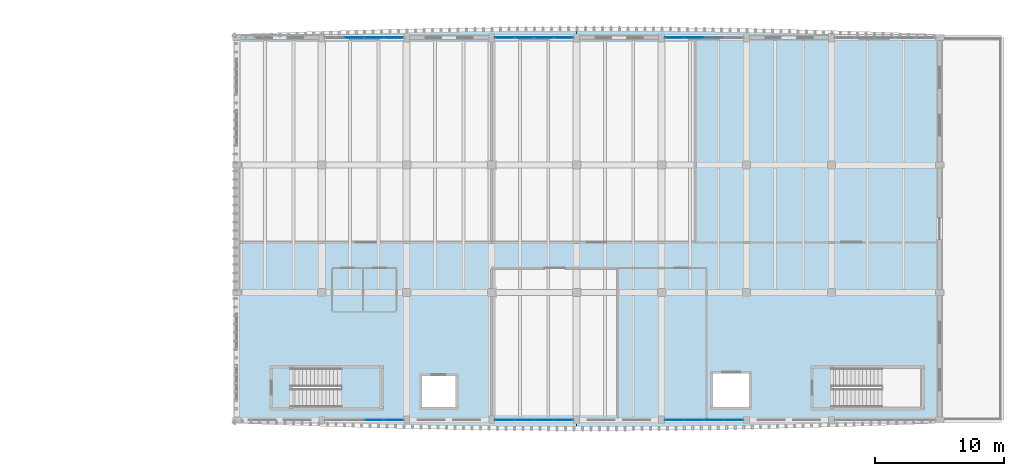
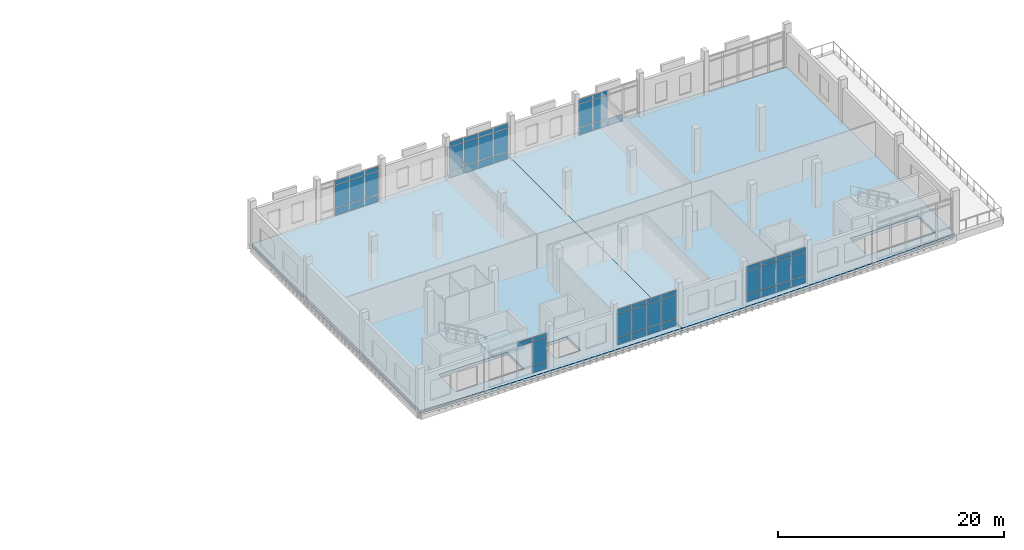
# One storey, part 16 of 39: 56 plates, 3 slabs, 7 elements without a shape of their own.
"""IFC4 building model written with IfcOpenShell, lengths in metres."""

from ifc_helpers import new_model, si_unit, direction, frame, origin, origin_2d, place, context, subcontext, project, spatial, polyline, rectangle, outline, extrude, material, layer, layer_set, type_object, element, aggregate, save


model = new_model("IFC4")

# Units and contexts
model_context = context("Model", 3, precision=1e-05, world=origin(), true_north=direction((0.0, 1.0)))
body_context = subcontext(model_context, "Body", "Model", "MODEL_VIEW")
ifc_project = project(units=[si_unit("LENGTHUNIT", "METRE"), si_unit("AREAUNIT", "SQUARE_METRE"), si_unit("VOLUMEUNIT", "CUBIC_METRE"), si_unit("PLANEANGLEUNIT", "RADIAN"), si_unit("MASSUNIT", "GRAM", prefix="KILO")], contexts=[model_context])

# Site, building, storey
site_placement = place(None, origin())
site = spatial("IfcSite", under=ifc_project, at=site_placement, CompositionType="ELEMENT")
building_placement = place(site_placement, origin())
building = spatial("IfcBuilding", under=site, at=building_placement, Name="Dornvale Research Institute", CompositionType="ELEMENT")
storey_placement = place(building_placement, frame((0.0, 0.0, 24.60009765625)))
storey = spatial("IfcBuildingStorey", under=building, at=storey_placement, Name="L05", CompositionType="ELEMENT", Elevation=24.60009765625)

# Curtain wall, plates
ifc_material_1 = material(Name="Low-E Argon Double Insulating Glazing Unit", Category="glass")
curtain_wall_type = type_object("IfcCurtainWallType", Name="UnitisedCurtainWall_V4_6150x3950", PredefinedType="USERDEFINED", material=ifc_material_1)
curtain_wall_1_placement = place(storey_placement, origin())
curtain_wall_1 = element("IfcCurtainWall", 1, at=curtain_wall_1_placement, inside=storey, type_object=curtain_wall_type, Name="L05 V4 unitised curtain wall CW-15 #109", ObjectType="UNITISED CURTAIN WALL", PredefinedType="USERDEFINED")
ifc_material_2 = material(Name="Insulated Ceramic-Frit Spandrel Glass Panel", Category="glass")
ifc_layer_1 = layer(ifc_material_2, 0.0419921875)
ifc_layer_set_1 = layer_set([ifc_layer_1], Name="Insulated Ceramic-Frit Spandrel Glass Panel")
plate_type_1 = type_object("IfcPlateType", Name="CurtainPanel_Spandrel_42", PredefinedType="CURTAIN_PANEL", material=ifc_layer_set_1)
plate_1_placement = place(storey_placement, frame((127.93115234375, 122.10009765625, 0.06494140625), z_axis=(0.0, 0.0, 1.0), x_axis=(1.0, 0.0, 0.0)))
plate_1 = element("IfcPlate", 2, at=plate_1_placement, type_object=plate_type_1, Name="CW-15 panel 2.1", PredefinedType="CURTAIN_PANEL", context=body_context, shape_type="SweptSolid", body=[
    extrude(rectangle(XDim=1.472412109375, YDim=0.0419921875, at=origin_2d()), origin(), (0.0, 0.0, 1.0), 0.75244140625),
])
plate_2_placement = place(storey_placement, frame((129.46875, 122.10009765625, 0.06494140625), z_axis=(0.0, 0.0, 1.0), x_axis=(1.0, 0.0, 0.0)))
plate_2 = element("IfcPlate", 3, at=plate_2_placement, type_object=plate_type_1, Name="CW-15 panel 3.1", PredefinedType="CURTAIN_PANEL", context=body_context, shape_type="SweptSolid", body=[
    extrude(rectangle(XDim=1.472412109375, YDim=0.0419921875, at=origin_2d()), origin(), (0.0, 0.0, 1.0), 0.75244140625),
])
plate_3_placement = place(storey_placement, frame((130.989990234375, 122.10009765625, 0.06494140625), z_axis=(0.0, 0.0, 1.0), x_axis=(1.0, 0.0, 0.0)))
plate_3 = element("IfcPlate", 4, at=plate_3_placement, type_object=plate_type_1, Name="CW-15 panel 4.1", PredefinedType="CURTAIN_PANEL", context=body_context, shape_type="SweptSolid", body=[
    extrude(rectangle(XDim=1.43994140625, YDim=0.0419921875, at=origin_2d()), origin(), (0.0, 0.0, 1.0), 0.75244140625),
])

curtain_wall_2_placement = place(storey_placement, origin())
curtain_wall_2 = element("IfcCurtainWall", 5, at=curtain_wall_2_placement, inside=storey, type_object=curtain_wall_type, Name="L05 V4 unitised curtain wall CW-15 #110", ObjectType="UNITISED CURTAIN WALL", PredefinedType="USERDEFINED")
plate_4_placement = place(storey_placement, frame((139.610107421875, 122.10009765625, 0.06494140625), z_axis=(0.0, 0.0, 1.0), x_axis=(1.0, 0.0, 0.0)))
plate_4 = element("IfcPlate", 6, at=plate_4_placement, type_object=plate_type_1, Name="CW-15 panel 1.1", PredefinedType="CURTAIN_PANEL", context=body_context, shape_type="SweptSolid", body=[
    extrude(rectangle(XDim=1.43994140625, YDim=0.0419921875, at=origin_2d()), origin(), (0.0, 0.0, 1.0), 0.75244140625),
])
plate_5_placement = place(storey_placement, frame((141.13134765625, 122.10009765625, 0.06494140625), z_axis=(0.0, 0.0, 1.0), x_axis=(1.0, 0.0, 0.0)))
plate_5 = element("IfcPlate", 7, at=plate_5_placement, type_object=plate_type_1, Name="CW-15 panel 2.1", PredefinedType="CURTAIN_PANEL", context=body_context, shape_type="SweptSolid", body=[
    extrude(rectangle(XDim=1.472412109375, YDim=0.0419921875, at=origin_2d()), origin(), (0.0, 0.0, 1.0), 0.75244140625),
])
plate_6_placement = place(storey_placement, frame((142.668701171875, 122.10009765625, 0.06494140625), z_axis=(0.0, 0.0, 1.0), x_axis=(1.0, 0.0, 0.0)))
plate_6 = element("IfcPlate", 8, at=plate_6_placement, type_object=plate_type_1, Name="CW-15 panel 3.1", PredefinedType="CURTAIN_PANEL", context=body_context, shape_type="SweptSolid", body=[
    extrude(rectangle(XDim=1.472412109375, YDim=0.0419921875, at=origin_2d()), origin(), (0.0, 0.0, 1.0), 0.75244140625),
])
plate_7_placement = place(storey_placement, frame((144.18994140625, 122.10009765625, 0.06494140625), z_axis=(0.0, 0.0, 1.0), x_axis=(1.0, 0.0, 0.0)))
plate_7 = element("IfcPlate", 9, at=plate_7_placement, type_object=plate_type_1, Name="CW-15 panel 4.1", PredefinedType="CURTAIN_PANEL", context=body_context, shape_type="SweptSolid", body=[
    extrude(rectangle(XDim=1.43994140625, YDim=0.0419921875, at=origin_2d()), origin(), (0.0, 0.0, 1.0), 0.75244140625),
])

curtain_wall_3_placement = place(storey_placement, origin())
curtain_wall_3 = element("IfcCurtainWall", 10, at=curtain_wall_3_placement, inside=storey, type_object=curtain_wall_type, Name="L05 V4 unitised curtain wall CW-15 #111", ObjectType="UNITISED CURTAIN WALL", PredefinedType="USERDEFINED")
plate_8_placement = place(storey_placement, frame((152.81005859375, 122.10009765625, 0.06494140625), z_axis=(0.0, 0.0, 1.0), x_axis=(1.0, 0.0, 0.0)))
plate_8 = element("IfcPlate", 11, at=plate_8_placement, type_object=plate_type_1, Name="CW-15 panel 1.1", PredefinedType="CURTAIN_PANEL", context=body_context, shape_type="SweptSolid", body=[
    extrude(rectangle(XDim=1.43994140625, YDim=0.0419921875, at=origin_2d()), origin(), (0.0, 0.0, 1.0), 0.75244140625),
])
plate_9_placement = place(storey_placement, frame((154.331298828125, 122.10009765625, 0.06494140625), z_axis=(0.0, 0.0, 1.0), x_axis=(1.0, 0.0, 0.0)))
plate_9 = element("IfcPlate", 12, at=plate_9_placement, type_object=plate_type_1, Name="CW-15 panel 2.1", PredefinedType="CURTAIN_PANEL", context=body_context, shape_type="SweptSolid", body=[
    extrude(rectangle(XDim=1.472412109375, YDim=0.0419921875, at=origin_2d()), origin(), (0.0, 0.0, 1.0), 0.75244140625),
])
plate_10_placement = place(storey_placement, frame((155.86865234375, 122.10009765625, 0.06494140625), z_axis=(0.0, 0.0, 1.0), x_axis=(1.0, 0.0, 0.0)))
plate_10 = element("IfcPlate", 13, at=plate_10_placement, type_object=plate_type_1, Name="CW-15 panel 3.1", PredefinedType="CURTAIN_PANEL", context=body_context, shape_type="SweptSolid", body=[
    extrude(rectangle(XDim=1.472412109375, YDim=0.0419921875, at=origin_2d()), origin(), (0.0, 0.0, 1.0), 0.75244140625),
])

curtain_wall_4_placement = place(storey_placement, origin())
curtain_wall_4 = element("IfcCurtainWall", 14, at=curtain_wall_4_placement, inside=storey, type_object=curtain_wall_type, Name="L05 V4 unitised curtain wall CW-15 #114", ObjectType="UNITISED CURTAIN WALL", PredefinedType="USERDEFINED")
plate_11_placement = place(storey_placement, frame((157.389892578125, 92.39990234375, 0.06494140625), z_axis=(0.0, 0.0, 1.0), x_axis=(-1.0, 0.0, 0.0)))
plate_11 = element("IfcPlate", 15, at=plate_11_placement, type_object=plate_type_1, Name="CW-15 panel 1.1", PredefinedType="CURTAIN_PANEL", context=body_context, shape_type="SweptSolid", body=[
    extrude(rectangle(XDim=1.43994140625, YDim=0.0419921875, at=origin_2d()), origin(), (0.0, 0.0, 1.0), 0.75244140625),
])
plate_12_placement = place(storey_placement, frame((155.86865234375, 92.39990234375, 0.06494140625), z_axis=(0.0, 0.0, 1.0), x_axis=(-1.0, 0.0, 0.0)))
plate_12 = element("IfcPlate", 16, at=plate_12_placement, type_object=plate_type_1, Name="CW-15 panel 2.1", PredefinedType="CURTAIN_PANEL", context=body_context, shape_type="SweptSolid", body=[
    extrude(rectangle(XDim=1.472412109375, YDim=0.0419921875, at=origin_2d()), origin(), (0.0, 0.0, 1.0), 0.75244140625),
])
plate_13_placement = place(storey_placement, frame((154.331298828125, 92.39990234375, 0.06494140625), z_axis=(0.0, 0.0, 1.0), x_axis=(-1.0, 0.0, 0.0)))
plate_13 = element("IfcPlate", 17, at=plate_13_placement, type_object=plate_type_1, Name="CW-15 panel 3.1", PredefinedType="CURTAIN_PANEL", context=body_context, shape_type="SweptSolid", body=[
    extrude(rectangle(XDim=1.472412109375, YDim=0.0419921875, at=origin_2d()), origin(), (0.0, 0.0, 1.0), 0.75244140625),
])
plate_14_placement = place(storey_placement, frame((152.81005859375, 92.39990234375, 0.06494140625), z_axis=(0.0, 0.0, 1.0), x_axis=(-1.0, 0.0, 0.0)))
plate_14 = element("IfcPlate", 18, at=plate_14_placement, type_object=plate_type_1, Name="CW-15 panel 4.1", PredefinedType="CURTAIN_PANEL", context=body_context, shape_type="SweptSolid", body=[
    extrude(rectangle(XDim=1.43994140625, YDim=0.0419921875, at=origin_2d()), origin(), (0.0, 0.0, 1.0), 0.75244140625),
])

curtain_wall_5_placement = place(storey_placement, origin())
curtain_wall_5 = element("IfcCurtainWall", 19, at=curtain_wall_5_placement, inside=storey, type_object=curtain_wall_type, Name="L05 V4 unitised curtain wall CW-15 #115", ObjectType="UNITISED CURTAIN WALL", PredefinedType="USERDEFINED")
plate_15_placement = place(storey_placement, frame((144.18994140625, 92.39990234375, 0.06494140625), z_axis=(0.0, 0.0, 1.0), x_axis=(-1.0, 0.0, 0.0)))
plate_15 = element("IfcPlate", 20, at=plate_15_placement, type_object=plate_type_1, Name="CW-15 panel 1.1", PredefinedType="CURTAIN_PANEL", context=body_context, shape_type="SweptSolid", body=[
    extrude(rectangle(XDim=1.43994140625, YDim=0.0419921875, at=origin_2d()), origin(), (0.0, 0.0, 1.0), 0.75244140625),
])
plate_16_placement = place(storey_placement, frame((142.668701171875, 92.39990234375, 0.06494140625), z_axis=(0.0, 0.0, 1.0), x_axis=(-1.0, 0.0, 0.0)))
plate_16 = element("IfcPlate", 21, at=plate_16_placement, type_object=plate_type_1, Name="CW-15 panel 2.1", PredefinedType="CURTAIN_PANEL", context=body_context, shape_type="SweptSolid", body=[
    extrude(rectangle(XDim=1.472412109375, YDim=0.0419921875, at=origin_2d()), origin(), (0.0, 0.0, 1.0), 0.75244140625),
])
plate_17_placement = place(storey_placement, frame((141.13134765625, 92.39990234375, 0.06494140625), z_axis=(0.0, 0.0, 1.0), x_axis=(-1.0, 0.0, 0.0)))
plate_17 = element("IfcPlate", 22, at=plate_17_placement, type_object=plate_type_1, Name="CW-15 panel 3.1", PredefinedType="CURTAIN_PANEL", context=body_context, shape_type="SweptSolid", body=[
    extrude(rectangle(XDim=1.472412109375, YDim=0.0419921875, at=origin_2d()), origin(), (0.0, 0.0, 1.0), 0.75244140625),
])
plate_18_placement = place(storey_placement, frame((139.610107421875, 92.39990234375, 0.06494140625), z_axis=(0.0, 0.0, 1.0), x_axis=(-1.0, 0.0, 0.0)))
plate_18 = element("IfcPlate", 23, at=plate_18_placement, type_object=plate_type_1, Name="CW-15 panel 4.1", PredefinedType="CURTAIN_PANEL", context=body_context, shape_type="SweptSolid", body=[
    extrude(rectangle(XDim=1.43994140625, YDim=0.0419921875, at=origin_2d()), origin(), (0.0, 0.0, 1.0), 0.75244140625),
])

# Curtain wall, plate
curtain_wall_6_placement = place(storey_placement, origin())
curtain_wall_6 = element("IfcCurtainWall", 24, at=curtain_wall_6_placement, inside=storey, type_object=curtain_wall_type, Name="L05 V4 unitised curtain wall CW-15 #116", ObjectType="UNITISED CURTAIN WALL", PredefinedType="USERDEFINED")
plate_19_placement = place(storey_placement, frame((130.989990234375, 92.39990234375, 0.06494140625), z_axis=(0.0, 0.0, 1.0), x_axis=(-1.0, 0.0, 0.0)))
plate_19 = element("IfcPlate", 25, at=plate_19_placement, type_object=plate_type_1, Name="CW-15 panel 1.1", PredefinedType="CURTAIN_PANEL", context=body_context, shape_type="SweptSolid", body=[
    extrude(rectangle(XDim=1.43994140625, YDim=0.0419921875, at=origin_2d()), origin(), (0.0, 0.0, 1.0), 0.75244140625),
])

# Plate
ifc_material_3 = material(Name="Low-E Argon Double Insulating Glazing Unit", Category="glass")
ifc_layer_2 = layer(ifc_material_3, 0.028076171875)
ifc_layer_set_2 = layer_set([ifc_layer_2], Name="Low-E Argon Double Insulating Glazing Unit")
plate_type_2 = type_object("IfcPlateType", Name="CurtainPanel_Vision_28", PredefinedType="CURTAIN_PANEL", material=ifc_layer_set_2)
plate_20_placement = place(storey_placement, frame((127.93115234375, 122.10009765625, 0.88232421875), z_axis=(0.0, 0.0, 1.0), x_axis=(1.0, 0.0, 0.0)))
plate_20 = element("IfcPlate", 26, at=plate_20_placement, type_object=plate_type_2, Name="CW-15 panel 2.2", PredefinedType="CURTAIN_PANEL", context=body_context, shape_type="SweptSolid", body=[
    extrude(rectangle(XDim=1.472412109375, YDim=0.028076171875, at=origin_2d()), origin(), (0.0, 0.0, 1.0), 2.485107421875),
])

plate_21_placement = place(storey_placement, frame((127.93115234375, 122.10009765625, 3.4326171875), z_axis=(0.0, 0.0, 1.0), x_axis=(1.0, 0.0, 0.0)))
plate_21 = element("IfcPlate", 27, at=plate_21_placement, type_object=plate_type_2, Name="CW-15 panel 2.3", PredefinedType="CURTAIN_PANEL", context=body_context, shape_type="SweptSolid", body=[
    extrude(rectangle(XDim=1.472412109375, YDim=0.028076171875, at=origin_2d()), origin(), (0.0, 0.0, 1.0), 0.452392578125),
])

plate_22_placement = place(storey_placement, frame((129.46875, 122.10009765625, 0.88232421875), z_axis=(0.0, 0.0, 1.0), x_axis=(1.0, 0.0, 0.0)))
plate_22 = element("IfcPlate", 28, at=plate_22_placement, type_object=plate_type_2, Name="CW-15 panel 3.2", PredefinedType="CURTAIN_PANEL", context=body_context, shape_type="SweptSolid", body=[
    extrude(rectangle(XDim=1.472412109375, YDim=0.028076171875, at=origin_2d()), origin(), (0.0, 0.0, 1.0), 2.485107421875),
])

plate_23_placement = place(storey_placement, frame((129.46875, 122.10009765625, 3.4326171875), z_axis=(0.0, 0.0, 1.0), x_axis=(1.0, 0.0, 0.0)))
plate_23 = element("IfcPlate", 29, at=plate_23_placement, type_object=plate_type_2, Name="CW-15 panel 3.3", PredefinedType="CURTAIN_PANEL", context=body_context, shape_type="SweptSolid", body=[
    extrude(rectangle(XDim=1.472412109375, YDim=0.028076171875, at=origin_2d()), origin(), (0.0, 0.0, 1.0), 0.452392578125),
])

plate_24_placement = place(storey_placement, frame((130.989990234375, 122.10009765625, 0.88232421875), z_axis=(0.0, 0.0, 1.0), x_axis=(1.0, 0.0, 0.0)))
plate_24 = element("IfcPlate", 30, at=plate_24_placement, type_object=plate_type_2, Name="CW-15 panel 4.2", PredefinedType="CURTAIN_PANEL", context=body_context, shape_type="SweptSolid", body=[
    extrude(rectangle(XDim=1.43994140625, YDim=0.028076171875, at=origin_2d()), origin(), (0.0, 0.0, 1.0), 2.485107421875),
])

plate_25_placement = place(storey_placement, frame((130.989990234375, 122.10009765625, 3.4326171875), z_axis=(0.0, 0.0, 1.0), x_axis=(1.0, 0.0, 0.0)))
plate_25 = element("IfcPlate", 31, at=plate_25_placement, type_object=plate_type_2, Name="CW-15 panel 4.3", PredefinedType="CURTAIN_PANEL", context=body_context, shape_type="SweptSolid", body=[
    extrude(rectangle(XDim=1.43994140625, YDim=0.028076171875, at=origin_2d()), origin(), (0.0, 0.0, 1.0), 0.452392578125),
])

aggregate(curtain_wall_1, [plate_1, plate_20, plate_21, plate_2, plate_22, plate_23, plate_3, plate_24, plate_25])

plate_26_placement = place(storey_placement, frame((139.610107421875, 122.10009765625, 0.88232421875), z_axis=(0.0, 0.0, 1.0), x_axis=(1.0, 0.0, 0.0)))
plate_26 = element("IfcPlate", 32, at=plate_26_placement, type_object=plate_type_2, Name="CW-15 panel 1.2", PredefinedType="CURTAIN_PANEL", context=body_context, shape_type="SweptSolid", body=[
    extrude(rectangle(XDim=1.43994140625, YDim=0.028076171875, at=origin_2d()), origin(), (0.0, 0.0, 1.0), 2.485107421875),
])

plate_27_placement = place(storey_placement, frame((139.610107421875, 122.10009765625, 3.4326171875), z_axis=(0.0, 0.0, 1.0), x_axis=(1.0, 0.0, 0.0)))
plate_27 = element("IfcPlate", 33, at=plate_27_placement, type_object=plate_type_2, Name="CW-15 panel 1.3", PredefinedType="CURTAIN_PANEL", context=body_context, shape_type="SweptSolid", body=[
    extrude(rectangle(XDim=1.43994140625, YDim=0.028076171875, at=origin_2d()), origin(), (0.0, 0.0, 1.0), 0.452392578125),
])

plate_28_placement = place(storey_placement, frame((141.13134765625, 122.10009765625, 0.88232421875), z_axis=(0.0, 0.0, 1.0), x_axis=(1.0, 0.0, 0.0)))
plate_28 = element("IfcPlate", 34, at=plate_28_placement, type_object=plate_type_2, Name="CW-15 panel 2.2", PredefinedType="CURTAIN_PANEL", context=body_context, shape_type="SweptSolid", body=[
    extrude(rectangle(XDim=1.472412109375, YDim=0.028076171875, at=origin_2d()), origin(), (0.0, 0.0, 1.0), 2.485107421875),
])

plate_29_placement = place(storey_placement, frame((141.13134765625, 122.10009765625, 3.4326171875), z_axis=(0.0, 0.0, 1.0), x_axis=(1.0, 0.0, 0.0)))
plate_29 = element("IfcPlate", 35, at=plate_29_placement, type_object=plate_type_2, Name="CW-15 panel 2.3", PredefinedType="CURTAIN_PANEL", context=body_context, shape_type="SweptSolid", body=[
    extrude(rectangle(XDim=1.472412109375, YDim=0.028076171875, at=origin_2d()), origin(), (0.0, 0.0, 1.0), 0.452392578125),
])

plate_30_placement = place(storey_placement, frame((142.668701171875, 122.10009765625, 0.88232421875), z_axis=(0.0, 0.0, 1.0), x_axis=(1.0, 0.0, 0.0)))
plate_30 = element("IfcPlate", 36, at=plate_30_placement, type_object=plate_type_2, Name="CW-15 panel 3.2", PredefinedType="CURTAIN_PANEL", context=body_context, shape_type="SweptSolid", body=[
    extrude(rectangle(XDim=1.472412109375, YDim=0.028076171875, at=origin_2d()), origin(), (0.0, 0.0, 1.0), 2.485107421875),
])

plate_31_placement = place(storey_placement, frame((142.668701171875, 122.10009765625, 3.4326171875), z_axis=(0.0, 0.0, 1.0), x_axis=(1.0, 0.0, 0.0)))
plate_31 = element("IfcPlate", 37, at=plate_31_placement, type_object=plate_type_2, Name="CW-15 panel 3.3", PredefinedType="CURTAIN_PANEL", context=body_context, shape_type="SweptSolid", body=[
    extrude(rectangle(XDim=1.472412109375, YDim=0.028076171875, at=origin_2d()), origin(), (0.0, 0.0, 1.0), 0.452392578125),
])

plate_32_placement = place(storey_placement, frame((144.18994140625, 122.10009765625, 0.88232421875), z_axis=(0.0, 0.0, 1.0), x_axis=(1.0, 0.0, 0.0)))
plate_32 = element("IfcPlate", 38, at=plate_32_placement, type_object=plate_type_2, Name="CW-15 panel 4.2", PredefinedType="CURTAIN_PANEL", context=body_context, shape_type="SweptSolid", body=[
    extrude(rectangle(XDim=1.43994140625, YDim=0.028076171875, at=origin_2d()), origin(), (0.0, 0.0, 1.0), 2.485107421875),
])

plate_33_placement = place(storey_placement, frame((144.18994140625, 122.10009765625, 3.4326171875), z_axis=(0.0, 0.0, 1.0), x_axis=(1.0, 0.0, 0.0)))
plate_33 = element("IfcPlate", 39, at=plate_33_placement, type_object=plate_type_2, Name="CW-15 panel 4.3", PredefinedType="CURTAIN_PANEL", context=body_context, shape_type="SweptSolid", body=[
    extrude(rectangle(XDim=1.43994140625, YDim=0.028076171875, at=origin_2d()), origin(), (0.0, 0.0, 1.0), 0.452392578125),
])

aggregate(curtain_wall_2, [plate_4, plate_26, plate_27, plate_5, plate_28, plate_29, plate_6, plate_30, plate_31, plate_7, plate_32, plate_33])

plate_34_placement = place(storey_placement, frame((152.81005859375, 122.10009765625, 0.88232421875), z_axis=(0.0, 0.0, 1.0), x_axis=(1.0, 0.0, 0.0)))
plate_34 = element("IfcPlate", 40, at=plate_34_placement, type_object=plate_type_2, Name="CW-15 panel 1.2", PredefinedType="CURTAIN_PANEL", context=body_context, shape_type="SweptSolid", body=[
    extrude(rectangle(XDim=1.43994140625, YDim=0.028076171875, at=origin_2d()), origin(), (0.0, 0.0, 1.0), 2.485107421875),
])

plate_35_placement = place(storey_placement, frame((152.81005859375, 122.10009765625, 3.4326171875), z_axis=(0.0, 0.0, 1.0), x_axis=(1.0, 0.0, 0.0)))
plate_35 = element("IfcPlate", 41, at=plate_35_placement, type_object=plate_type_2, Name="CW-15 panel 1.3", PredefinedType="CURTAIN_PANEL", context=body_context, shape_type="SweptSolid", body=[
    extrude(rectangle(XDim=1.43994140625, YDim=0.028076171875, at=origin_2d()), origin(), (0.0, 0.0, 1.0), 0.452392578125),
])

plate_36_placement = place(storey_placement, frame((154.331298828125, 122.10009765625, 0.88232421875), z_axis=(0.0, 0.0, 1.0), x_axis=(1.0, 0.0, 0.0)))
plate_36 = element("IfcPlate", 42, at=plate_36_placement, type_object=plate_type_2, Name="CW-15 panel 2.2", PredefinedType="CURTAIN_PANEL", context=body_context, shape_type="SweptSolid", body=[
    extrude(rectangle(XDim=1.472412109375, YDim=0.028076171875, at=origin_2d()), origin(), (0.0, 0.0, 1.0), 2.485107421875),
])

plate_37_placement = place(storey_placement, frame((154.331298828125, 122.10009765625, 3.4326171875), z_axis=(0.0, 0.0, 1.0), x_axis=(1.0, 0.0, 0.0)))
plate_37 = element("IfcPlate", 43, at=plate_37_placement, type_object=plate_type_2, Name="CW-15 panel 2.3", PredefinedType="CURTAIN_PANEL", context=body_context, shape_type="SweptSolid", body=[
    extrude(rectangle(XDim=1.472412109375, YDim=0.028076171875, at=origin_2d()), origin(), (0.0, 0.0, 1.0), 0.452392578125),
])

aggregate(curtain_wall_3, [plate_8, plate_34, plate_35, plate_9, plate_36, plate_37, plate_10])

plate_38_placement = place(storey_placement, frame((157.389892578125, 92.39990234375, 0.88232421875), z_axis=(0.0, 0.0, 1.0), x_axis=(-1.0, 0.0, 0.0)))
plate_38 = element("IfcPlate", 44, at=plate_38_placement, type_object=plate_type_2, Name="CW-15 panel 1.2", PredefinedType="CURTAIN_PANEL", context=body_context, shape_type="SweptSolid", body=[
    extrude(rectangle(XDim=1.43994140625, YDim=0.028076171875, at=origin_2d()), origin(), (0.0, 0.0, 1.0), 2.485107421875),
])

plate_39_placement = place(storey_placement, frame((157.389892578125, 92.39990234375, 3.4326171875), z_axis=(0.0, 0.0, 1.0), x_axis=(-1.0, 0.0, 0.0)))
plate_39 = element("IfcPlate", 45, at=plate_39_placement, type_object=plate_type_2, Name="CW-15 panel 1.3", PredefinedType="CURTAIN_PANEL", context=body_context, shape_type="SweptSolid", body=[
    extrude(rectangle(XDim=1.43994140625, YDim=0.028076171875, at=origin_2d()), origin(), (0.0, 0.0, 1.0), 0.452392578125),
])

plate_40_placement = place(storey_placement, frame((155.86865234375, 92.39990234375, 0.88232421875), z_axis=(0.0, 0.0, 1.0), x_axis=(-1.0, 0.0, 0.0)))
plate_40 = element("IfcPlate", 46, at=plate_40_placement, type_object=plate_type_2, Name="CW-15 panel 2.2", PredefinedType="CURTAIN_PANEL", context=body_context, shape_type="SweptSolid", body=[
    extrude(rectangle(XDim=1.472412109375, YDim=0.028076171875, at=origin_2d()), origin(), (0.0, 0.0, 1.0), 2.485107421875),
])

plate_41_placement = place(storey_placement, frame((155.86865234375, 92.39990234375, 3.4326171875), z_axis=(0.0, 0.0, 1.0), x_axis=(-1.0, 0.0, 0.0)))
plate_41 = element("IfcPlate", 47, at=plate_41_placement, type_object=plate_type_2, Name="CW-15 panel 2.3", PredefinedType="CURTAIN_PANEL", context=body_context, shape_type="SweptSolid", body=[
    extrude(rectangle(XDim=1.472412109375, YDim=0.028076171875, at=origin_2d()), origin(), (0.0, 0.0, 1.0), 0.452392578125),
])

plate_42_placement = place(storey_placement, frame((154.331298828125, 92.39990234375, 0.88232421875), z_axis=(0.0, 0.0, 1.0), x_axis=(-1.0, 0.0, 0.0)))
plate_42 = element("IfcPlate", 48, at=plate_42_placement, type_object=plate_type_2, Name="CW-15 panel 3.2", PredefinedType="CURTAIN_PANEL", context=body_context, shape_type="SweptSolid", body=[
    extrude(rectangle(XDim=1.472412109375, YDim=0.028076171875, at=origin_2d()), origin(), (0.0, 0.0, 1.0), 2.485107421875),
])

plate_43_placement = place(storey_placement, frame((154.331298828125, 92.39990234375, 3.4326171875), z_axis=(0.0, 0.0, 1.0), x_axis=(-1.0, 0.0, 0.0)))
plate_43 = element("IfcPlate", 49, at=plate_43_placement, type_object=plate_type_2, Name="CW-15 panel 3.3", PredefinedType="CURTAIN_PANEL", context=body_context, shape_type="SweptSolid", body=[
    extrude(rectangle(XDim=1.472412109375, YDim=0.028076171875, at=origin_2d()), origin(), (0.0, 0.0, 1.0), 0.452392578125),
])

plate_44_placement = place(storey_placement, frame((152.81005859375, 92.39990234375, 0.88232421875), z_axis=(0.0, 0.0, 1.0), x_axis=(-1.0, 0.0, 0.0)))
plate_44 = element("IfcPlate", 50, at=plate_44_placement, type_object=plate_type_2, Name="CW-15 panel 4.2", PredefinedType="CURTAIN_PANEL", context=body_context, shape_type="SweptSolid", body=[
    extrude(rectangle(XDim=1.43994140625, YDim=0.028076171875, at=origin_2d()), origin(), (0.0, 0.0, 1.0), 2.485107421875),
])

plate_45_placement = place(storey_placement, frame((152.81005859375, 92.39990234375, 3.4326171875), z_axis=(0.0, 0.0, 1.0), x_axis=(-1.0, 0.0, 0.0)))
plate_45 = element("IfcPlate", 51, at=plate_45_placement, type_object=plate_type_2, Name="CW-15 panel 4.3", PredefinedType="CURTAIN_PANEL", context=body_context, shape_type="SweptSolid", body=[
    extrude(rectangle(XDim=1.43994140625, YDim=0.028076171875, at=origin_2d()), origin(), (0.0, 0.0, 1.0), 0.452392578125),
])

aggregate(curtain_wall_4, [plate_11, plate_38, plate_39, plate_12, plate_40, plate_41, plate_13, plate_42, plate_43, plate_14, plate_44, plate_45])

plate_46_placement = place(storey_placement, frame((144.18994140625, 92.39990234375, 0.88232421875), z_axis=(0.0, 0.0, 1.0), x_axis=(-1.0, 0.0, 0.0)))
plate_46 = element("IfcPlate", 52, at=plate_46_placement, type_object=plate_type_2, Name="CW-15 panel 1.2", PredefinedType="CURTAIN_PANEL", context=body_context, shape_type="SweptSolid", body=[
    extrude(rectangle(XDim=1.43994140625, YDim=0.028076171875, at=origin_2d()), origin(), (0.0, 0.0, 1.0), 2.485107421875),
])

plate_47_placement = place(storey_placement, frame((144.18994140625, 92.39990234375, 3.4326171875), z_axis=(0.0, 0.0, 1.0), x_axis=(-1.0, 0.0, 0.0)))
plate_47 = element("IfcPlate", 53, at=plate_47_placement, type_object=plate_type_2, Name="CW-15 panel 1.3", PredefinedType="CURTAIN_PANEL", context=body_context, shape_type="SweptSolid", body=[
    extrude(rectangle(XDim=1.43994140625, YDim=0.028076171875, at=origin_2d()), origin(), (0.0, 0.0, 1.0), 0.452392578125),
])

plate_48_placement = place(storey_placement, frame((142.668701171875, 92.39990234375, 0.88232421875), z_axis=(0.0, 0.0, 1.0), x_axis=(-1.0, 0.0, 0.0)))
plate_48 = element("IfcPlate", 54, at=plate_48_placement, type_object=plate_type_2, Name="CW-15 panel 2.2", PredefinedType="CURTAIN_PANEL", context=body_context, shape_type="SweptSolid", body=[
    extrude(rectangle(XDim=1.472412109375, YDim=0.028076171875, at=origin_2d()), origin(), (0.0, 0.0, 1.0), 2.485107421875),
])

plate_49_placement = place(storey_placement, frame((142.668701171875, 92.39990234375, 3.4326171875), z_axis=(0.0, 0.0, 1.0), x_axis=(-1.0, 0.0, 0.0)))
plate_49 = element("IfcPlate", 55, at=plate_49_placement, type_object=plate_type_2, Name="CW-15 panel 2.3", PredefinedType="CURTAIN_PANEL", context=body_context, shape_type="SweptSolid", body=[
    extrude(rectangle(XDim=1.472412109375, YDim=0.028076171875, at=origin_2d()), origin(), (0.0, 0.0, 1.0), 0.452392578125),
])

plate_50_placement = place(storey_placement, frame((141.13134765625, 92.39990234375, 0.88232421875), z_axis=(0.0, 0.0, 1.0), x_axis=(-1.0, 0.0, 0.0)))
plate_50 = element("IfcPlate", 56, at=plate_50_placement, type_object=plate_type_2, Name="CW-15 panel 3.2", PredefinedType="CURTAIN_PANEL", context=body_context, shape_type="SweptSolid", body=[
    extrude(rectangle(XDim=1.472412109375, YDim=0.028076171875, at=origin_2d()), origin(), (0.0, 0.0, 1.0), 2.485107421875),
])

plate_51_placement = place(storey_placement, frame((141.13134765625, 92.39990234375, 3.4326171875), z_axis=(0.0, 0.0, 1.0), x_axis=(-1.0, 0.0, 0.0)))
plate_51 = element("IfcPlate", 57, at=plate_51_placement, type_object=plate_type_2, Name="CW-15 panel 3.3", PredefinedType="CURTAIN_PANEL", context=body_context, shape_type="SweptSolid", body=[
    extrude(rectangle(XDim=1.472412109375, YDim=0.028076171875, at=origin_2d()), origin(), (0.0, 0.0, 1.0), 0.452392578125),
])

plate_52_placement = place(storey_placement, frame((139.610107421875, 92.39990234375, 0.88232421875), z_axis=(0.0, 0.0, 1.0), x_axis=(-1.0, 0.0, 0.0)))
plate_52 = element("IfcPlate", 58, at=plate_52_placement, type_object=plate_type_2, Name="CW-15 panel 4.2", PredefinedType="CURTAIN_PANEL", context=body_context, shape_type="SweptSolid", body=[
    extrude(rectangle(XDim=1.43994140625, YDim=0.028076171875, at=origin_2d()), origin(), (0.0, 0.0, 1.0), 2.485107421875),
])

plate_53_placement = place(storey_placement, frame((139.610107421875, 92.39990234375, 3.4326171875), z_axis=(0.0, 0.0, 1.0), x_axis=(-1.0, 0.0, 0.0)))
plate_53 = element("IfcPlate", 59, at=plate_53_placement, type_object=plate_type_2, Name="CW-15 panel 4.3", PredefinedType="CURTAIN_PANEL", context=body_context, shape_type="SweptSolid", body=[
    extrude(rectangle(XDim=1.43994140625, YDim=0.028076171875, at=origin_2d()), origin(), (0.0, 0.0, 1.0), 0.452392578125),
])

aggregate(curtain_wall_5, [plate_15, plate_46, plate_47, plate_16, plate_48, plate_49, plate_17, plate_50, plate_51, plate_18, plate_52, plate_53])

plate_54_placement = place(storey_placement, frame((130.989990234375, 92.39990234375, 0.88232421875), z_axis=(0.0, 0.0, 1.0), x_axis=(-1.0, 0.0, 0.0)))
plate_54 = element("IfcPlate", 60, at=plate_54_placement, type_object=plate_type_2, Name="CW-15 panel 1.2", PredefinedType="CURTAIN_PANEL", context=body_context, shape_type="SweptSolid", body=[
    extrude(rectangle(XDim=1.43994140625, YDim=0.028076171875, at=origin_2d()), origin(), (0.0, 0.0, 1.0), 2.485107421875),
])

plate_55_placement = place(storey_placement, frame((130.989990234375, 92.39990234375, 3.4326171875), z_axis=(0.0, 0.0, 1.0), x_axis=(-1.0, 0.0, 0.0)))
plate_55 = element("IfcPlate", 61, at=plate_55_placement, type_object=plate_type_2, Name="CW-15 panel 1.3", PredefinedType="CURTAIN_PANEL", context=body_context, shape_type="SweptSolid", body=[
    extrude(rectangle(XDim=1.43994140625, YDim=0.028076171875, at=origin_2d()), origin(), (0.0, 0.0, 1.0), 0.452392578125),
])

plate_56_placement = place(storey_placement, frame((129.46875, 92.39990234375, 3.4326171875), z_axis=(0.0, 0.0, 1.0), x_axis=(-1.0, 0.0, 0.0)))
plate_56 = element("IfcPlate", 62, at=plate_56_placement, type_object=plate_type_2, Name="CW-15 panel 2.3", PredefinedType="CURTAIN_PANEL", context=body_context, shape_type="SweptSolid", body=[
    extrude(rectangle(XDim=1.472412109375, YDim=0.028076171875, at=origin_2d()), origin(), (0.0, 0.0, 1.0), 0.452392578125),
])

aggregate(curtain_wall_6, [plate_19, plate_54, plate_55, plate_56])

# Slabs
ifc_material_4 = material(Name="Concrete f'c 45 MPa (C35/45)", Category="concrete")
ifc_layer_3 = layer(ifc_material_4, 0.320068359375)
ifc_layer_set_3 = layer_set([ifc_layer_3], Name="Concrete f'c 45 MPa (C35/45)")
slab_type_1 = type_object("IfcSlabType", Name="FloorSlab_Lab_320", PredefinedType="FLOOR", material=ifc_layer_set_3)
slab_1_placement = place(storey_placement, frame((0.0, 0.0, -0.320068359375)))
element("IfcSlab", 63, at=slab_1_placement, inside=storey, type_object=slab_type_1, Name="L05 V4 W floor slab", PredefinedType="FLOOR", context=body_context, shape_type="SweptSolid", body=[
    extrude(outline(polyline([(143.6181640625, 91.8544921875), (141.963623046875, 91.862548828125), (140.30908203125, 91.874755859375), (138.654541015625, 91.890869140625), (137.0, 91.9111328125), (135.345458984375, 91.935302734375), (133.69091796875, 91.963623046875), (132.036376953125, 91.99609375), (130.3818359375, 92.0322265625), (128.727294921875, 92.07275390625), (127.07275390625, 92.1171875), (125.418212890625, 92.165771484375), (123.763671875, 92.21826171875), (122.109130859375, 92.274658203125), (120.45458984375, 92.33544921875), (118.800048828125, 92.39990234375), (118.800048828125, 122.10009765625), (120.45458984375, 122.16455078125), (122.109130859375, 122.225341796875), (123.763671875, 122.28173828125), (125.418212890625, 122.334228515625), (127.07275390625, 122.3828125), (128.727294921875, 122.42724609375), (130.3818359375, 122.4677734375), (132.036376953125, 122.50390625), (133.69091796875, 122.536376953125), (135.345458984375, 122.564697265625), (137.0, 122.5888671875), (138.654541015625, 122.609130859375), (140.30908203125, 122.625244140625), (141.963623046875, 122.637451171875), (143.6181640625, 122.6455078125), (145.199951171875, 122.6494140625), (145.199951171875, 91.8505859375), (143.6181640625, 91.8544921875)]), holes=[polyline([(123.02001953125, 93.39990234375), (130.0, 93.39990234375), (130.0, 96.39990234375), (123.02001953125, 96.39990234375), (123.02001953125, 93.39990234375)]), polyline([(133.199951171875, 93.39990234375), (135.800048828125, 93.39990234375), (135.800048828125, 95.800048828125), (133.199951171875, 95.800048828125), (133.199951171875, 93.39990234375)])]), origin(), (0.0, 0.0, 1.0), 0.320068359375),
])
slab_2_placement = place(storey_placement, frame((0.0, 0.0, -0.320068359375)))
element("IfcSlab", 64, at=slab_2_placement, inside=storey, type_object=slab_type_1, Name="L05 V4 E floor slab", PredefinedType="FLOOR", context=body_context, shape_type="SweptSolid", body=[
    extrude(outline(polyline([(145.272705078125, 122.6494140625), (146.92724609375, 122.6494140625), (148.581787109375, 122.6455078125), (150.236328125, 122.637451171875), (151.890869140625, 122.625244140625), (153.54541015625, 122.609130859375), (155.199951171875, 122.5888671875), (156.8544921875, 122.564697265625), (158.509033203125, 122.536376953125), (160.16357421875, 122.50390625), (161.818115234375, 122.4677734375), (163.47265625, 122.42724609375), (165.127197265625, 122.3828125), (166.78173828125, 122.334228515625), (168.436279296875, 122.28173828125), (170.0908203125, 122.225341796875), (171.74560546875, 122.16455078125), (173.39990234375, 122.10009765625), (173.39990234375, 92.39990234375), (171.74560546875, 92.33544921875), (170.0908203125, 92.274658203125), (168.436279296875, 92.21826171875), (166.78173828125, 92.165771484375), (165.127197265625, 92.1171875), (163.47265625, 92.07275390625), (161.818115234375, 92.0322265625), (160.16357421875, 91.99609375), (158.509033203125, 91.963623046875), (156.8544921875, 91.935302734375), (155.199951171875, 91.9111328125), (153.54541015625, 91.890869140625), (151.890869140625, 91.874755859375), (150.236328125, 91.862548828125), (148.581787109375, 91.8544921875), (146.92724609375, 91.8505859375), (145.272705078125, 91.8505859375), (145.199951171875, 91.8505859375), (145.199951171875, 122.6494140625), (145.272705078125, 122.6494140625)]), holes=[polyline([(165.02001953125, 93.39990234375), (172.0, 93.39990234375), (172.0, 96.39990234375), (165.02001953125, 96.39990234375), (165.02001953125, 93.39990234375)]), polyline([(155.800048828125, 93.39990234375), (158.60009765625, 93.39990234375), (158.60009765625, 96.0), (155.800048828125, 96.0), (155.800048828125, 93.39990234375)])]), origin(), (0.0, 0.0, 1.0), 0.320068359375),
])

# Stair, slab
ifc_material_5 = material(Name="Concrete f'c 45 MPa (C35/45)", Category="concrete")
stair_type = type_object("IfcStairType", Name="HalfTurnStair_RC", PredefinedType="HALF_TURN_STAIR", material=ifc_material_5)
stair_placement = place(storey_placement, origin())
stair = element("IfcStair", 65, at=stair_placement, inside=storey, type_object=stair_type, Name="L05 Exit stair ST-3", PredefinedType="HALF_TURN_STAIR")
ifc_material_6 = material(Name="Concrete f'c 45 MPa (C35/45)", Category="concrete")
ifc_layer_4 = layer(ifc_material_6, 0.199951171875)
ifc_layer_set_4 = layer_set([ifc_layer_4], Name="Concrete f'c 45 MPa (C35/45)")
slab_type_2 = type_object("IfcSlabType", Name="Landing_Stair_200", PredefinedType="LANDING", material=ifc_layer_set_4)
slab_3_placement = place(storey_placement, frame((0.0, 0.0, 2.199951171875)))
slab_3 = element("IfcSlab", 66, at=slab_3_placement, type_object=slab_type_2, Name="ST-3 landing 1", PredefinedType="LANDING", context=body_context, shape_type="SweptSolid", body=[
    extrude(outline(polyline([(126.889892578125, 93.3701171875), (126.889892578125, 96.429931640625), (130.030029296875, 96.429931640625), (130.030029296875, 93.3701171875), (126.889892578125, 93.3701171875)])), origin(), (0.0, 0.0, 1.0), 0.199951171875),
])
aggregate(stair, [slab_3])

save(model, "model.ifc")
